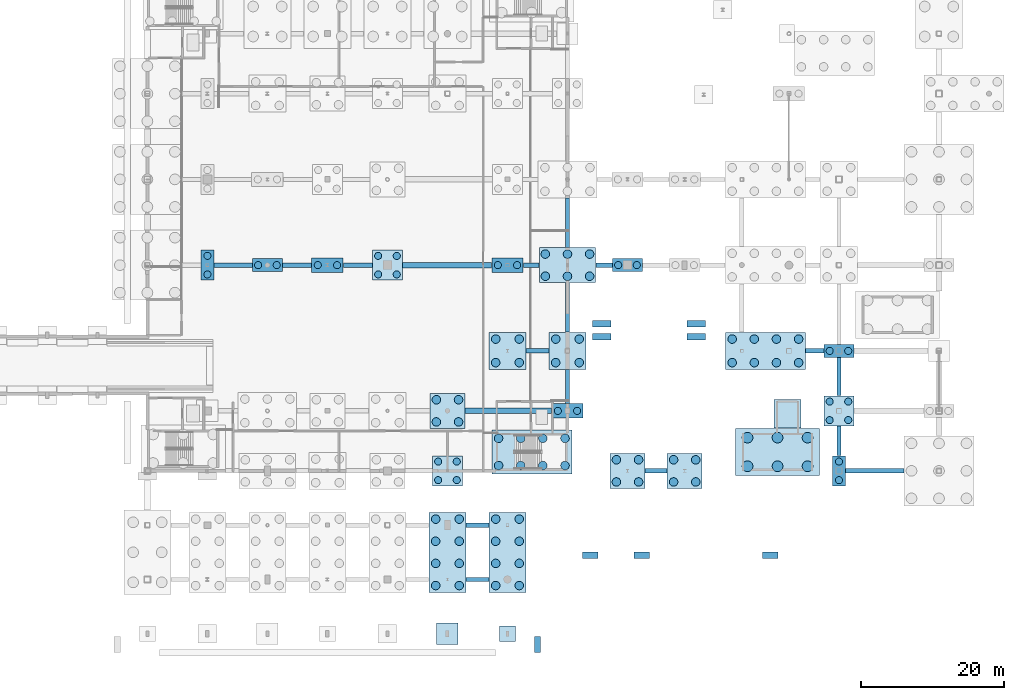
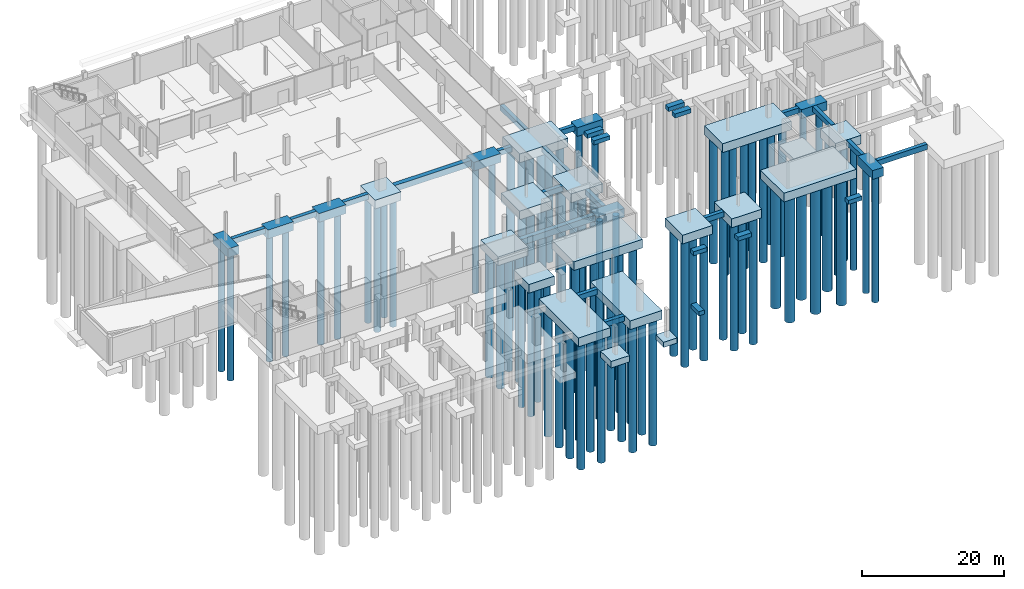
# One storey, part 2 of 34: 92 piles, 51 footings.
"""IFC4 building model written with IfcOpenShell, lengths in metres."""

from ifc_helpers import new_model, si_unit, direction, frame, origin, origin_2d, place, context, subcontext, project, spatial, rectangle, circle, extrude, material, material_profile, profile_set, type_object, element, save


model = new_model("IFC4")

# Units and contexts
model_context = context("Model", 3, precision=1e-05, world=origin(), true_north=direction((0.0, 1.0)))
body_context = subcontext(model_context, "Body", "Model", "MODEL_VIEW")
ifc_project = project(units=[si_unit("LENGTHUNIT", "METRE"), si_unit("AREAUNIT", "SQUARE_METRE"), si_unit("VOLUMEUNIT", "CUBIC_METRE"), si_unit("PLANEANGLEUNIT", "RADIAN"), si_unit("MASSUNIT", "GRAM", prefix="KILO")], contexts=[model_context])

# Site, building, storey
site_placement = place(None, origin())
site = spatial("IfcSite", under=ifc_project, at=site_placement, CompositionType="ELEMENT")
building_placement = place(site_placement, origin())
building = spatial("IfcBuilding", under=site, at=building_placement, Name="Larkvane Passage Sports Hall", CompositionType="ELEMENT")
storey_placement = place(building_placement, frame((0.0, 0.0, -4.800048828125)))
storey = spatial("IfcBuildingStorey", under=building, at=storey_placement, Name="B01", CompositionType="ELEMENT", Elevation=-4.800048828125)

# Footings
ifc_material = material(Name="Concrete C40/50", Category="concrete")
footing_type_1 = type_object("IfcFootingType", Name="CAP-2P-180x420", PredefinedType="PILE_CAP", material=ifc_material)
for number, where, z_axis, x_axis, name in (
    (1, (43.199951171875, 51.60009765625, -1.5), (0.0, 0.0, 1.0), (1.0, 0.0, 0.0), "Pile cap FDN5-CAP-7-G"),
    (2, (131.60009765625, 22.800048828125, -1.5), (0.0, 0.0, 1.0), (1.0, 0.0, 0.0), "Pile cap FDN5-CAP-18-D"),
):
    element("IfcFooting", number, at=place(storey_placement, frame(where, z_axis=z_axis, x_axis=x_axis)), inside=storey, type_object=footing_type_1, Name=name, PredefinedType="PILE_CAP", context=body_context, shape_type="SweptSolid", body=[
        extrude(rectangle(XDim=1.800048828125, YDim=4.199951171875, at=origin_2d()), origin(), (0.0, 0.0, 1.0), 1.5),
    ])
footing_type_2 = type_object("IfcFootingType", Name="CAP-2P-320x180", PredefinedType="PILE_CAP", material=ifc_material)
for number, where, z_axis, x_axis, name in (
    (3, (51.60009765625, 51.60009765625, -1.5), (0.0, 0.0, 1.0), (1.0, 0.0, 0.0), "Pile cap FDN5-CAP-8-G"),
    (4, (102.0, 51.60009765625, -1.5), (0.0, 0.0, 1.0), (1.0, 0.0, 0.0), "Pile cap FDN5-CAP-14-G"),
    (5, (131.60009765625, 39.60009765625, -1.5), (0.0, 0.0, 1.0), (1.0, 0.0, 0.0), "Pile cap FDN5-CAP-18-F"),
):
    element("IfcFooting", number, at=place(storey_placement, frame(where, z_axis=z_axis, x_axis=x_axis)), inside=storey, type_object=footing_type_2, Name=name, PredefinedType="PILE_CAP", context=body_context, shape_type="SweptSolid", body=[
        extrude(rectangle(XDim=4.199951171875, YDim=1.800048828125, at=origin_2d()), origin(), (0.0, 0.0, 1.0), 1.5),
    ])
footing_type_3 = type_object("IfcFootingType", Name="CAP-2P-360x200", PredefinedType="PILE_CAP", material=ifc_material)
for number, where, z_axis, x_axis, name in (
    (6, (60.0, 51.60009765625, -1.5), (0.0, 0.0, 1.0), (1.0, 0.0, 0.0), "Pile cap FDN5-CAP-9-G"),
    (7, (85.199951171875, 51.60009765625, -1.5), (0.0, 0.0, 1.0), (1.0, 0.0, 0.0), "Pile cap FDN5-CAP-12-G"),
    (8, (93.60009765625, 31.199951171875, -1.5), (0.0, 0.0, 1.0), (1.0, 0.0, 0.0), "Pile cap FDN5-CAP-13-E"),
):
    element("IfcFooting", number, at=place(storey_placement, frame(where, z_axis=z_axis, x_axis=x_axis)), inside=storey, type_object=footing_type_3, Name=name, PredefinedType="PILE_CAP", context=body_context, shape_type="SweptSolid", body=[
        extrude(rectangle(XDim=4.39990234375, YDim=2.0, at=origin_2d()), origin(), (0.0, 0.0, 1.0), 1.5),
    ])
footing_type_4 = type_object("IfcFootingType", Name="CAP-4P-360x360", PredefinedType="PILE_CAP", material=ifc_material)
for number, where, z_axis, x_axis, name in (
    (9, (68.39990234375, 51.60009765625, -1.5), (0.0, 0.0, 1.0), (1.0, 0.0, 0.0), "Pile cap FDN5-CAP-10-G"),
    (10, (76.800048828125, 22.800048828125, -1.5), (0.0, 0.0, 1.0), (1.0, 0.0, 0.0), "Pile cap FDN5-CAP-11-D"),
    (11, (131.60009765625, 31.199951171875, -1.5), (0.0, 0.0, 1.0), (1.0, 0.0, 0.0), "Pile cap FDN5-CAP-18-E"),
):
    element("IfcFooting", number, at=place(storey_placement, frame(where, z_axis=z_axis, x_axis=x_axis)), inside=storey, type_object=footing_type_4, Name=name, PredefinedType="PILE_CAP", context=body_context, shape_type="SweptSolid", body=[
        extrude(rectangle(XDim=4.199951171875, YDim=4.199951171875, at=origin_2d()), origin(), (0.0, 0.0, 1.0), 1.5),
    ])
footing_type_5 = type_object("IfcFootingType", Name="CAP-4P-400x400", PredefinedType="PILE_CAP", material=ifc_material)
for number, where, z_axis, x_axis, name in (
    (12, (76.800048828125, 31.199951171875, -1.5), (0.0, 0.0, 1.0), (1.0, 0.0, 0.0), "Pile cap FDN5-CAP-11-E"),
    (13, (102.0, 22.800048828125, -1.5), (0.0, 0.0, 1.0), (1.0, 0.0, 0.0), "Pile cap FDN5-CAP-14-D"),
    (14, (110.0, 22.800048828125, -1.5), (0.0, 0.0, 1.0), (1.0, 0.0, 0.0), "Pile cap FDN5-CAP-15-D"),
):
    element("IfcFooting", number, at=place(storey_placement, frame(where, z_axis=z_axis, x_axis=x_axis)), inside=storey, type_object=footing_type_5, Name=name, PredefinedType="PILE_CAP", context=body_context, shape_type="SweptSolid", body=[
        extrude(rectangle(XDim=4.89990234375, YDim=4.89990234375, at=origin_2d()), origin(), (0.0, 0.0, 1.0), 1.5),
    ])
footing_type_6 = type_object("IfcFootingType", Name="CAP-4P-440x440", PredefinedType="PILE_CAP", material=ifc_material)
for number, where, z_axis, x_axis, name in (
    (15, (85.199951171875, 39.60009765625, -1.5), (0.0, 0.0, 1.0), (1.0, 0.0, 0.0), "Pile cap FDN5-CAP-12-F"),
    (16, (93.60009765625, 39.60009765625, -1.5), (0.0, 0.0, 1.0), (1.0, 0.0, 0.0), "Pile cap FDN5-CAP-13-F"),
):
    element("IfcFooting", number, at=place(storey_placement, frame(where, z_axis=z_axis, x_axis=x_axis)), inside=storey, type_object=footing_type_6, Name=name, PredefinedType="PILE_CAP", context=body_context, shape_type="SweptSolid", body=[
        extrude(rectangle(XDim=5.199951171875, YDim=5.199951171875, at=origin_2d()), origin(), (0.0, 0.0, 1.0), 1.5),
    ])
footing_type_7 = type_object("IfcFootingType", Name="CAP-6P-580x400", PredefinedType="PILE_CAP", material=ifc_material)
footing_1_placement = place(storey_placement, frame((93.60009765625, 51.60009765625, -1.5), z_axis=(0.0, 0.0, 1.0), x_axis=(1.0, 0.0, 0.0)))
element("IfcFooting", 17, at=footing_1_placement, inside=storey, type_object=footing_type_7, Name="Pile cap FDN5-CAP-13-G", PredefinedType="PILE_CAP", context=body_context, shape_type="SweptSolid", body=[
    extrude(rectangle(XDim=7.89990234375, YDim=4.89990234375, at=origin_2d()), origin(), (0.0, 0.0, 1.0), 1.5),
])
footing_type_8 = type_object("IfcFootingType", Name="CAP-COMB-X-1120x520", PredefinedType="PILE_CAP", material=ifc_material)
footing_2_placement = place(storey_placement, frame((121.300048828125, 39.60009765625, -1.5), z_axis=(0.0, 0.0, 1.0), x_axis=(1.0, 0.0, 0.0)))
element("IfcFooting", 18, at=footing_2_placement, inside=storey, type_object=footing_type_8, Name="Pile cap FDN5-CAP-1617-F", PredefinedType="PILE_CAP", context=body_context, shape_type="SweptSolid", body=[
    extrude(rectangle(XDim=11.199951171875, YDim=5.199951171875, at=origin_2d()), origin(), (0.0, 0.0, 1.0), 1.5),
])
footing_type_9 = type_object("IfcFootingType", Name="CAP-COMB-Y-520x1120", PredefinedType="PILE_CAP", material=ifc_material)
for number, where, z_axis, x_axis, name in (
    (19, (76.800048828125, 11.39990234375, -1.5), (0.0, 0.0, 1.0), (1.0, 0.0, 0.0), "Pile cap FDN5-CAP-11-BC"),
    (20, (85.199951171875, 11.39990234375, -1.5), (0.0, 0.0, 1.0), (1.0, 0.0, 0.0), "Pile cap FDN5-CAP-12-BC"),
):
    element("IfcFooting", number, at=place(storey_placement, frame(where, z_axis=z_axis, x_axis=x_axis)), inside=storey, type_object=footing_type_9, Name=name, PredefinedType="PILE_CAP", context=body_context, shape_type="SweptSolid", body=[
        extrude(rectangle(XDim=5.199951171875, YDim=11.199951171875, at=origin_2d()), origin(), (0.0, 0.0, 1.0), 1.5),
    ])
footing_type_10 = type_object("IfcFootingType", Name="CAP-CORE-1120x620", PredefinedType="PILE_CAP", material=ifc_material)
footing_3_placement = place(storey_placement, frame((88.60009765625, 25.449951171875, -1.5), z_axis=(0.0, 0.0, 1.0), x_axis=(1.0, 0.0, 0.0)))
element("IfcFooting", 21, at=footing_3_placement, inside=storey, type_object=footing_type_10, Name="Pile cap FDN5-CORE-C4", PredefinedType="PILE_CAP", context=body_context, shape_type="SweptSolid", body=[
    extrude(rectangle(XDim=11.199951171875, YDim=6.199951171875, at=origin_2d()), origin(), (0.0, 0.0, 1.0), 1.5),
])
footing_type_11 = type_object("IfcFootingType", Name="CAP-CORE-1160x660", PredefinedType="PILE_CAP", material=ifc_material)
footing_4_placement = place(storey_placement, frame((123.0, 25.449951171875, -1.5), z_axis=(0.0, 0.0, 1.0), x_axis=(1.0, 0.0, 0.0)))
element("IfcFooting", 22, at=footing_4_placement, inside=storey, type_object=footing_type_11, Name="Pile cap FDN5-CORE-C5", PredefinedType="PILE_CAP", context=body_context, shape_type="SweptSolid", body=[
    extrude(rectangle(XDim=11.800048828125, YDim=6.60009765625, at=origin_2d()), origin(), (0.0, 0.0, 1.0), 1.5),
])
footing_type_12 = type_object("IfcFootingType", Name="FBM-600x900", PredefinedType="FOOTING_BEAM", material=ifc_material)
for number, where, z_axis, x_axis, name in (
    (23, (81.0, 7.60009765625, -0.89990234375), (0.0, 0.0, 1.0), (1.0, 0.0, 0.0), "Ground tie beam B-006"),
    (24, (81.0, 15.199951171875, -0.89990234375), (0.0, 0.0, 1.0), (1.0, 0.0, 0.0), "Ground tie beam C-012"),
):
    element("IfcFooting", number, at=place(storey_placement, frame(where, z_axis=z_axis, x_axis=x_axis)), inside=storey, type_object=footing_type_12, Name=name, PredefinedType="FOOTING_BEAM", context=body_context, shape_type="SweptSolid", body=[
        extrude(rectangle(XDim=3.159912109375, YDim=0.60009765625, at=origin_2d()), origin(), (0.0, 0.0, 1.0), 0.89990234375),
    ])
footing_5_placement = place(storey_placement, frame((106.0, 22.800048828125, -0.89990234375), z_axis=(0.0, 0.0, 1.0), x_axis=(1.0, 0.0, 0.0)))
element("IfcFooting", 25, at=footing_5_placement, inside=storey, type_object=footing_type_12, Name="Ground tie beam D-017", PredefinedType="FOOTING_BEAM", context=body_context, shape_type="SweptSolid", body=[
    extrude(rectangle(XDim=3.06005859375, YDim=0.60009765625, at=origin_2d()), origin(), (0.0, 0.0, 1.0), 0.89990234375),
])
footing_6_placement = place(storey_placement, frame((136.60009765625, 22.800048828125, -0.89990234375), z_axis=(0.0, 0.0, 1.0), x_axis=(1.0, 0.0, 0.0)))
element("IfcFooting", 26, at=footing_6_placement, inside=storey, type_object=footing_type_12, Name="Ground tie beam D-018", PredefinedType="FOOTING_BEAM", context=body_context, shape_type="SweptSolid", body=[
    extrude(rectangle(XDim=8.159912109375, YDim=0.60009765625, at=origin_2d()), origin(), (0.0, 0.0, 1.0), 0.89990234375),
])
footing_7_placement = place(storey_placement, frame((89.39990234375, 39.60009765625, -0.89990234375), z_axis=(0.0, 0.0, 1.0), x_axis=(1.0, 0.0, 0.0)))
element("IfcFooting", 27, at=footing_7_placement, inside=storey, type_object=footing_type_12, Name="Ground tie beam F-025", PredefinedType="FOOTING_BEAM", context=body_context, shape_type="SweptSolid", body=[
    extrude(rectangle(XDim=3.159912109375, YDim=0.60009765625, at=origin_2d()), origin(), (0.0, 0.0, 1.0), 0.89990234375),
])
footing_8_placement = place(storey_placement, frame((128.199951171875, 39.60009765625, -0.89990234375), z_axis=(0.0, 0.0, 1.0), x_axis=(1.0, 0.0, 0.0)))
element("IfcFooting", 28, at=footing_8_placement, inside=storey, type_object=footing_type_12, Name="Ground tie beam F-026", PredefinedType="FOOTING_BEAM", context=body_context, shape_type="SweptSolid", body=[
    extrude(rectangle(XDim=2.56005859375, YDim=0.60009765625, at=origin_2d()), origin(), (0.0, 0.0, 1.0), 0.89990234375),
])
footing_9_placement = place(storey_placement, frame((46.800048828125, 51.60009765625, -0.89990234375), z_axis=(0.0, 0.0, 1.0), x_axis=(1.0, 0.0, 0.0)))
element("IfcFooting", 29, at=footing_9_placement, inside=storey, type_object=footing_type_12, Name="Ground tie beam G-029", PredefinedType="FOOTING_BEAM", context=body_context, shape_type="SweptSolid", body=[
    extrude(rectangle(XDim=5.360107421875, YDim=0.60009765625, at=origin_2d()), origin(), (0.0, 0.0, 1.0), 0.89990234375),
])
for number, where, z_axis, x_axis, name in (
    (30, (55.75, 51.60009765625, -0.89990234375), (0.0, 0.0, 1.0), (1.0, 0.0, 0.0), "Ground tie beam G-030"),
    (31, (64.25, 51.60009765625, -0.89990234375), (0.0, 0.0, 1.0), (1.0, 0.0, 0.0), "Ground tie beam G-031"),
):
    element("IfcFooting", number, at=place(storey_placement, frame(where, z_axis=z_axis, x_axis=x_axis)), inside=storey, type_object=footing_type_12, Name=name, PredefinedType="FOOTING_BEAM", context=body_context, shape_type="SweptSolid", body=[
        extrude(rectangle(XDim=4.06005859375, YDim=0.60009765625, at=origin_2d()), origin(), (0.0, 0.0, 1.0), 0.89990234375),
    ])
footing_10_placement = place(storey_placement, frame((88.52490234375, 51.60009765625, -0.89990234375), z_axis=(0.0, 0.0, 1.0), x_axis=(1.0, 0.0, 0.0)))
element("IfcFooting", 32, at=footing_10_placement, inside=storey, type_object=footing_type_12, Name="Ground tie beam G-033", PredefinedType="FOOTING_BEAM", context=body_context, shape_type="SweptSolid", body=[
    extrude(rectangle(XDim=2.2099609375, YDim=0.60009765625, at=origin_2d()), origin(), (0.0, 0.0, 1.0), 0.89990234375),
])
footing_11_placement = place(storey_placement, frame((98.72509765625, 51.60009765625, -0.89990234375), z_axis=(0.0, 0.0, 1.0), x_axis=(1.0, 0.0, 0.0)))
element("IfcFooting", 33, at=footing_11_placement, inside=storey, type_object=footing_type_12, Name="Ground tie beam G-034", PredefinedType="FOOTING_BEAM", context=body_context, shape_type="SweptSolid", body=[
    extrude(rectangle(XDim=2.31005859375, YDim=0.60009765625, at=origin_2d()), origin(), (0.0, 0.0, 1.0), 0.89990234375),
])
footing_12_placement = place(storey_placement, frame((93.60009765625, 34.60009765625, -0.89990234375), z_axis=(0.0, 0.0, 1.0), x_axis=(1.0, 0.0, 0.0)))
element("IfcFooting", 34, at=footing_12_placement, inside=storey, type_object=footing_type_12, Name="Foundation tie footing 13-077", PredefinedType="FOOTING_BEAM", context=body_context, shape_type="SweptSolid", body=[
    extrude(rectangle(XDim=0.60009765625, YDim=4.760009765625, at=origin_2d()), origin(), (0.0, 0.0, 1.0), 0.89990234375),
])
for number, where, z_axis, x_axis, name in (
    (35, (93.60009765625, 45.675048828125, -0.89990234375), (0.0, 0.0, 1.0), (1.0, 0.0, 0.0), "Foundation tie footing 13-078"),
    (36, (93.60009765625, 57.52490234375, -0.89990234375), (0.0, 0.0, 1.0), (1.0, 0.0, 0.0), "Foundation tie footing 13-079"),
):
    element("IfcFooting", number, at=place(storey_placement, frame(where, z_axis=z_axis, x_axis=x_axis)), inside=storey, type_object=footing_type_12, Name=name, PredefinedType="FOOTING_BEAM", context=body_context, shape_type="SweptSolid", body=[
        extrude(rectangle(XDim=0.60009765625, YDim=6.909912109375, at=origin_2d()), origin(), (0.0, 0.0, 1.0), 0.89990234375),
    ])
footing_13_placement = place(storey_placement, frame((131.60009765625, 27.0, -0.89990234375), z_axis=(0.0, 0.0, 1.0), x_axis=(1.0, 0.0, 0.0)))
element("IfcFooting", 37, at=footing_13_placement, inside=storey, type_object=footing_type_12, Name="Foundation tie footing 18-085", PredefinedType="FOOTING_BEAM", context=body_context, shape_type="SweptSolid", body=[
    extrude(rectangle(XDim=0.60009765625, YDim=4.159912109375, at=origin_2d()), origin(), (0.0, 0.0, 1.0), 0.89990234375),
])
footing_14_placement = place(storey_placement, frame((131.60009765625, 36.0, -0.89990234375), z_axis=(0.0, 0.0, 1.0), x_axis=(1.0, 0.0, 0.0)))
element("IfcFooting", 38, at=footing_14_placement, inside=storey, type_object=footing_type_12, Name="Foundation tie footing 18-086", PredefinedType="FOOTING_BEAM", context=body_context, shape_type="SweptSolid", body=[
    extrude(rectangle(XDim=0.60009765625, YDim=5.360107421875, at=origin_2d()), origin(), (0.0, 0.0, 1.0), 0.89990234375),
])
footing_type_13 = type_object("IfcFootingType", Name="FBM-750x1050", PredefinedType="FOOTING_BEAM", material=ifc_material)
footing_15_placement = place(storey_placement, frame((85.324951171875, 31.199951171875, -1.0498046875), z_axis=(0.0, 0.0, 1.0), x_axis=(1.0, 0.0, 0.0)))
element("IfcFooting", 39, at=footing_15_placement, inside=storey, type_object=footing_type_13, Name="Ground tie beam E-023", PredefinedType="FOOTING_BEAM", context=body_context, shape_type="SweptSolid", body=[
    extrude(rectangle(XDim=12.110107421875, YDim=0.75, at=origin_2d()), origin(), (0.0, 0.0, 1.0), 1.050048828125),
])
footing_16_placement = place(storey_placement, frame((76.75, 51.60009765625, -1.0498046875), z_axis=(0.0, 0.0, 1.0), x_axis=(1.0, 0.0, 0.0)))
element("IfcFooting", 40, at=footing_16_placement, inside=storey, type_object=footing_type_13, Name="Ground tie beam G-032", PredefinedType="FOOTING_BEAM", context=body_context, shape_type="SweptSolid", body=[
    extrude(rectangle(XDim=12.4599609375, YDim=0.75, at=origin_2d()), origin(), (0.0, 0.0, 1.0), 1.050048828125),
])
footing_type_14 = type_object("IfcFootingType", Name="PAD-220x220x90", PredefinedType="PAD_FOOTING", material=ifc_material)
footing_17_placement = place(storey_placement, frame((85.199951171875, 0.0, -0.89990234375), z_axis=(0.0, 0.0, 1.0), x_axis=(1.0, 0.0, 0.0)))
element("IfcFooting", 41, at=footing_17_placement, inside=storey, type_object=footing_type_14, Name="Isolated pad footing FDN5-PAD-12-A", PredefinedType="PAD_FOOTING", context=body_context, shape_type="SweptSolid", body=[
    extrude(rectangle(XDim=2.199951171875, YDim=2.199951171875, at=origin_2d()), origin(), (0.0, 0.0, 1.0), 0.89990234375),
])
footing_type_15 = type_object("IfcFootingType", Name="PAD-300x300x110", PredefinedType="PAD_FOOTING", material=ifc_material)
footing_18_placement = place(storey_placement, frame((76.800048828125, 0.0, -1.10009765625), z_axis=(0.0, 0.0, 1.0), x_axis=(1.0, 0.0, 0.0)))
element("IfcFooting", 42, at=footing_18_placement, inside=storey, type_object=footing_type_15, Name="Isolated pad footing FDN5-PAD-11-A", PredefinedType="PAD_FOOTING", context=body_context, shape_type="SweptSolid", body=[
    extrude(rectangle(XDim=3.0, YDim=3.0, at=origin_2d()), origin(), (0.0, 0.0, 1.0), 1.10009765625),
])

# Piles
ifc_material_profile_1 = material_profile(ifc_material, circle(Radius=0.5, at=origin_2d()), Name="PILE-D1000")
ifc_profile_set_1 = profile_set([ifc_material_profile_1], Name="Concrete C40/50")
pile_type_1 = type_object("IfcPileType", Name="PIL-BORED-D1000", PredefinedType="BORED", material=ifc_profile_set_1)
for number, where, z_axis, x_axis, name in (
    (43, (43.199951171875, 50.300048828125, -1.349853515625), (0.0, 0.0, -1.0), (1.0, 0.0, 0.0), "Bored pile FDN5-CAP-7-G-P01"),
    (44, (43.199951171875, 52.89990234375, -1.349853515625), (0.0, 0.0, -1.0), (1.0, 0.0, 0.0), "Bored pile FDN5-CAP-7-G-P02"),
    (45, (50.300048828125, 51.60009765625, -1.349853515625), (0.0, 0.0, -1.0), (1.0, 0.0, 0.0), "Bored pile FDN5-CAP-8-G-P01"),
    (46, (52.89990234375, 51.60009765625, -1.349853515625), (0.0, 0.0, -1.0), (1.0, 0.0, 0.0), "Bored pile FDN5-CAP-8-G-P02"),
    (47, (58.64990234375, 51.60009765625, -1.349853515625), (0.0, 0.0, -1.0), (1.0, 0.0, 0.0), "Bored pile FDN5-CAP-9-G-P01"),
    (48, (61.35009765625, 51.60009765625, -1.349853515625), (0.0, 0.0, -1.0), (1.0, 0.0, 0.0), "Bored pile FDN5-CAP-9-G-P02"),
    (49, (67.10009765625, 50.300048828125, -1.349853515625), (0.0, 0.0, -1.0), (1.0, 0.0, 0.0), "Bored pile FDN5-CAP-10-G-P01"),
    (50, (69.699951171875, 50.300048828125, -1.349853515625), (0.0, 0.0, -1.0), (1.0, 0.0, 0.0), "Bored pile FDN5-CAP-10-G-P02"),
    (51, (67.10009765625, 52.89990234375, -1.349853515625), (0.0, 0.0, -1.0), (1.0, 0.0, 0.0), "Bored pile FDN5-CAP-10-G-P03"),
    (52, (69.699951171875, 52.89990234375, -1.349853515625), (0.0, 0.0, -1.0), (1.0, 0.0, 0.0), "Bored pile FDN5-CAP-10-G-P04"),
    (53, (75.5, 21.5, -1.349853515625), (0.0, 0.0, -1.0), (1.0, 0.0, 0.0), "Bored pile FDN5-CAP-11-D-P01"),
    (54, (78.10009765625, 21.5, -1.349853515625), (0.0, 0.0, -1.0), (1.0, 0.0, 0.0), "Bored pile FDN5-CAP-11-D-P02"),
    (55, (75.5, 24.10009765625, -1.349853515625), (0.0, 0.0, -1.0), (1.0, 0.0, 0.0), "Bored pile FDN5-CAP-11-D-P03"),
    (56, (78.10009765625, 24.10009765625, -1.349853515625), (0.0, 0.0, -1.0), (1.0, 0.0, 0.0), "Bored pile FDN5-CAP-11-D-P04"),
    (57, (83.85009765625, 51.60009765625, -1.349853515625), (0.0, 0.0, -1.0), (1.0, 0.0, 0.0), "Bored pile FDN5-CAP-12-G-P01"),
    (58, (86.550048828125, 51.60009765625, -1.349853515625), (0.0, 0.0, -1.0), (1.0, 0.0, 0.0), "Bored pile FDN5-CAP-12-G-P02"),
    (59, (92.25, 31.199951171875, -1.349853515625), (0.0, 0.0, -1.0), (1.0, 0.0, 0.0), "Bored pile FDN5-CAP-13-E-P01"),
    (60, (94.949951171875, 31.199951171875, -1.349853515625), (0.0, 0.0, -1.0), (1.0, 0.0, 0.0), "Bored pile FDN5-CAP-13-E-P02"),
    (61, (100.699951171875, 51.60009765625, -1.349853515625), (0.0, 0.0, -1.0), (1.0, 0.0, 0.0), "Bored pile FDN5-CAP-14-G-P01"),
    (62, (103.300048828125, 51.60009765625, -1.349853515625), (0.0, 0.0, -1.0), (1.0, 0.0, 0.0), "Bored pile FDN5-CAP-14-G-P02"),
    (63, (131.60009765625, 21.5, -1.349853515625), (0.0, 0.0, -1.0), (1.0, 0.0, 0.0), "Bored pile FDN5-CAP-18-D-P01"),
    (64, (131.60009765625, 24.10009765625, -1.349853515625), (0.0, 0.0, -1.0), (1.0, 0.0, 0.0), "Bored pile FDN5-CAP-18-D-P02"),
    (65, (130.300048828125, 29.89990234375, -1.349853515625), (0.0, 0.0, -1.0), (1.0, 0.0, 0.0), "Bored pile FDN5-CAP-18-E-P01"),
    (66, (132.89990234375, 29.89990234375, -1.349853515625), (0.0, 0.0, -1.0), (1.0, 0.0, 0.0), "Bored pile FDN5-CAP-18-E-P02"),
    (67, (130.300048828125, 32.5, -1.349853515625), (0.0, 0.0, -1.0), (1.0, 0.0, 0.0), "Bored pile FDN5-CAP-18-E-P03"),
    (68, (132.89990234375, 32.5, -1.349853515625), (0.0, 0.0, -1.0), (1.0, 0.0, 0.0), "Bored pile FDN5-CAP-18-E-P04"),
    (69, (130.300048828125, 39.60009765625, -1.349853515625), (0.0, 0.0, -1.0), (1.0, 0.0, 0.0), "Bored pile FDN5-CAP-18-F-P01"),
    (70, (132.89990234375, 39.60009765625, -1.349853515625), (0.0, 0.0, -1.0), (1.0, 0.0, 0.0), "Bored pile FDN5-CAP-18-F-P02"),
):
    element("IfcPile", number, at=place(storey_placement, frame(where, z_axis=z_axis, x_axis=x_axis)), inside=storey, type_object=pile_type_1, Name=name, PredefinedType="BORED", context=body_context, shape_type="SweptSolid", body=[
        extrude(circle(Radius=0.5, at=origin_2d()), origin(), (0.0, 0.0, 1.0), 21.85009765625),
    ])
ifc_material_profile_2 = material_profile(ifc_material, circle(Radius=0.60009765625, at=origin_2d()), Name="PILE-D1200")
ifc_profile_set_2 = profile_set([ifc_material_profile_2], Name="Concrete C40/50")
pile_type_2 = type_object("IfcPileType", Name="PIL-BORED-D1200", PredefinedType="BORED", material=ifc_profile_set_2)
for number, where, z_axis, x_axis, name in (
    (71, (83.949951171875, 23.550048828125, -1.349853515625), (0.0, 0.0, -1.0), (1.0, 0.0, 0.0), "Bored pile FDN5-CORE-C4-P01"),
    (72, (83.949951171875, 27.35009765625, -1.349853515625), (0.0, 0.0, -1.0), (1.0, 0.0, 0.0), "Bored pile FDN5-CORE-C4-P02"),
    (73, (87.050048828125, 23.550048828125, -1.349853515625), (0.0, 0.0, -1.0), (1.0, 0.0, 0.0), "Bored pile FDN5-CORE-C4-P03"),
    (74, (87.050048828125, 27.35009765625, -1.349853515625), (0.0, 0.0, -1.0), (1.0, 0.0, 0.0), "Bored pile FDN5-CORE-C4-P04"),
    (75, (90.14990234375, 23.550048828125, -1.349853515625), (0.0, 0.0, -1.0), (1.0, 0.0, 0.0), "Bored pile FDN5-CORE-C4-P05"),
    (76, (90.14990234375, 27.35009765625, -1.349853515625), (0.0, 0.0, -1.0), (1.0, 0.0, 0.0), "Bored pile FDN5-CORE-C4-P06"),
    (77, (93.25, 23.550048828125, -1.349853515625), (0.0, 0.0, -1.0), (1.0, 0.0, 0.0), "Bored pile FDN5-CORE-C4-P07"),
    (78, (93.25, 27.35009765625, -1.349853515625), (0.0, 0.0, -1.0), (1.0, 0.0, 0.0), "Bored pile FDN5-CORE-C4-P08"),
    (79, (75.14990234375, 6.75, -1.349853515625), (0.0, 0.0, -1.0), (1.0, 0.0, 0.0), "Bored pile FDN5-CAP-11-BC-P01"),
    (80, (75.14990234375, 9.85009765625, -1.349853515625), (0.0, 0.0, -1.0), (1.0, 0.0, 0.0), "Bored pile FDN5-CAP-11-BC-P02"),
    (81, (75.14990234375, 12.949951171875, -1.349853515625), (0.0, 0.0, -1.0), (1.0, 0.0, 0.0), "Bored pile FDN5-CAP-11-BC-P03"),
    (82, (75.14990234375, 16.050048828125, -1.349853515625), (0.0, 0.0, -1.0), (1.0, 0.0, 0.0), "Bored pile FDN5-CAP-11-BC-P04"),
    (83, (78.449951171875, 6.75, -1.349853515625), (0.0, 0.0, -1.0), (1.0, 0.0, 0.0), "Bored pile FDN5-CAP-11-BC-P05"),
    (84, (78.449951171875, 9.85009765625, -1.349853515625), (0.0, 0.0, -1.0), (1.0, 0.0, 0.0), "Bored pile FDN5-CAP-11-BC-P06"),
    (85, (78.449951171875, 12.949951171875, -1.349853515625), (0.0, 0.0, -1.0), (1.0, 0.0, 0.0), "Bored pile FDN5-CAP-11-BC-P07"),
    (86, (78.449951171875, 16.050048828125, -1.349853515625), (0.0, 0.0, -1.0), (1.0, 0.0, 0.0), "Bored pile FDN5-CAP-11-BC-P08"),
    (87, (83.550048828125, 6.75, -1.349853515625), (0.0, 0.0, -1.0), (1.0, 0.0, 0.0), "Bored pile FDN5-CAP-12-BC-P01"),
    (88, (83.550048828125, 9.85009765625, -1.349853515625), (0.0, 0.0, -1.0), (1.0, 0.0, 0.0), "Bored pile FDN5-CAP-12-BC-P02"),
    (89, (83.550048828125, 12.949951171875, -1.349853515625), (0.0, 0.0, -1.0), (1.0, 0.0, 0.0), "Bored pile FDN5-CAP-12-BC-P03"),
    (90, (83.550048828125, 16.050048828125, -1.349853515625), (0.0, 0.0, -1.0), (1.0, 0.0, 0.0), "Bored pile FDN5-CAP-12-BC-P04"),
    (91, (86.85009765625, 6.75, -1.349853515625), (0.0, 0.0, -1.0), (1.0, 0.0, 0.0), "Bored pile FDN5-CAP-12-BC-P05"),
    (92, (86.85009765625, 9.85009765625, -1.349853515625), (0.0, 0.0, -1.0), (1.0, 0.0, 0.0), "Bored pile FDN5-CAP-12-BC-P06"),
    (93, (86.85009765625, 12.949951171875, -1.349853515625), (0.0, 0.0, -1.0), (1.0, 0.0, 0.0), "Bored pile FDN5-CAP-12-BC-P07"),
    (94, (86.85009765625, 16.050048828125, -1.349853515625), (0.0, 0.0, -1.0), (1.0, 0.0, 0.0), "Bored pile FDN5-CAP-12-BC-P08"),
    (95, (116.64990234375, 37.949951171875, -1.349853515625), (0.0, 0.0, -1.0), (1.0, 0.0, 0.0), "Bored pile FDN5-CAP-1617-F-P01"),
    (96, (116.64990234375, 41.25, -1.349853515625), (0.0, 0.0, -1.0), (1.0, 0.0, 0.0), "Bored pile FDN5-CAP-1617-F-P02"),
    (97, (119.75, 37.949951171875, -1.349853515625), (0.0, 0.0, -1.0), (1.0, 0.0, 0.0), "Bored pile FDN5-CAP-1617-F-P03"),
    (98, (119.75, 41.25, -1.349853515625), (0.0, 0.0, -1.0), (1.0, 0.0, 0.0), "Bored pile FDN5-CAP-1617-F-P04"),
    (99, (122.85009765625, 37.949951171875, -1.349853515625), (0.0, 0.0, -1.0), (1.0, 0.0, 0.0), "Bored pile FDN5-CAP-1617-F-P05"),
    (100, (122.85009765625, 41.25, -1.349853515625), (0.0, 0.0, -1.0), (1.0, 0.0, 0.0), "Bored pile FDN5-CAP-1617-F-P06"),
    (101, (125.949951171875, 37.949951171875, -1.349853515625), (0.0, 0.0, -1.0), (1.0, 0.0, 0.0), "Bored pile FDN5-CAP-1617-F-P07"),
    (102, (125.949951171875, 41.25, -1.349853515625), (0.0, 0.0, -1.0), (1.0, 0.0, 0.0), "Bored pile FDN5-CAP-1617-F-P08"),
    (103, (75.25, 29.64990234375, -1.349853515625), (0.0, 0.0, -1.0), (1.0, 0.0, 0.0), "Bored pile FDN5-CAP-11-E-P01"),
    (104, (78.35009765625, 29.64990234375, -1.349853515625), (0.0, 0.0, -1.0), (1.0, 0.0, 0.0), "Bored pile FDN5-CAP-11-E-P02"),
    (105, (75.25, 32.75, -1.349853515625), (0.0, 0.0, -1.0), (1.0, 0.0, 0.0), "Bored pile FDN5-CAP-11-E-P03"),
    (106, (78.35009765625, 32.75, -1.349853515625), (0.0, 0.0, -1.0), (1.0, 0.0, 0.0), "Bored pile FDN5-CAP-11-E-P04"),
    (107, (83.550048828125, 37.949951171875, -1.349853515625), (0.0, 0.0, -1.0), (1.0, 0.0, 0.0), "Bored pile FDN5-CAP-12-F-P01"),
    (108, (86.85009765625, 37.949951171875, -1.349853515625), (0.0, 0.0, -1.0), (1.0, 0.0, 0.0), "Bored pile FDN5-CAP-12-F-P02"),
    (109, (83.550048828125, 41.25, -1.349853515625), (0.0, 0.0, -1.0), (1.0, 0.0, 0.0), "Bored pile FDN5-CAP-12-F-P03"),
    (110, (86.85009765625, 41.25, -1.349853515625), (0.0, 0.0, -1.0), (1.0, 0.0, 0.0), "Bored pile FDN5-CAP-12-F-P04"),
    (111, (91.949951171875, 37.949951171875, -1.349853515625), (0.0, 0.0, -1.0), (1.0, 0.0, 0.0), "Bored pile FDN5-CAP-13-F-P01"),
    (112, (95.25, 37.949951171875, -1.349853515625), (0.0, 0.0, -1.0), (1.0, 0.0, 0.0), "Bored pile FDN5-CAP-13-F-P02"),
    (113, (91.949951171875, 41.25, -1.349853515625), (0.0, 0.0, -1.0), (1.0, 0.0, 0.0), "Bored pile FDN5-CAP-13-F-P03"),
    (114, (95.25, 41.25, -1.349853515625), (0.0, 0.0, -1.0), (1.0, 0.0, 0.0), "Bored pile FDN5-CAP-13-F-P04"),
    (115, (90.5, 50.050048828125, -1.349853515625), (0.0, 0.0, -1.0), (1.0, 0.0, 0.0), "Bored pile FDN5-CAP-13-G-P01"),
    (116, (93.60009765625, 50.050048828125, -1.349853515625), (0.0, 0.0, -1.0), (1.0, 0.0, 0.0), "Bored pile FDN5-CAP-13-G-P02"),
    (117, (96.699951171875, 50.050048828125, -1.349853515625), (0.0, 0.0, -1.0), (1.0, 0.0, 0.0), "Bored pile FDN5-CAP-13-G-P03"),
    (118, (90.5, 53.14990234375, -1.349853515625), (0.0, 0.0, -1.0), (1.0, 0.0, 0.0), "Bored pile FDN5-CAP-13-G-P04"),
    (119, (93.60009765625, 53.14990234375, -1.349853515625), (0.0, 0.0, -1.0), (1.0, 0.0, 0.0), "Bored pile FDN5-CAP-13-G-P05"),
    (120, (96.699951171875, 53.14990234375, -1.349853515625), (0.0, 0.0, -1.0), (1.0, 0.0, 0.0), "Bored pile FDN5-CAP-13-G-P06"),
    (121, (100.449951171875, 21.25, -1.349853515625), (0.0, 0.0, -1.0), (1.0, 0.0, 0.0), "Bored pile FDN5-CAP-14-D-P01"),
    (122, (103.550048828125, 21.25, -1.349853515625), (0.0, 0.0, -1.0), (1.0, 0.0, 0.0), "Bored pile FDN5-CAP-14-D-P02"),
    (123, (100.449951171875, 24.35009765625, -1.349853515625), (0.0, 0.0, -1.0), (1.0, 0.0, 0.0), "Bored pile FDN5-CAP-14-D-P03"),
    (124, (103.550048828125, 24.35009765625, -1.349853515625), (0.0, 0.0, -1.0), (1.0, 0.0, 0.0), "Bored pile FDN5-CAP-14-D-P04"),
    (125, (108.449951171875, 21.25, -1.349853515625), (0.0, 0.0, -1.0), (1.0, 0.0, 0.0), "Bored pile FDN5-CAP-15-D-P01"),
    (126, (111.550048828125, 21.25, -1.349853515625), (0.0, 0.0, -1.0), (1.0, 0.0, 0.0), "Bored pile FDN5-CAP-15-D-P02"),
    (127, (108.449951171875, 24.35009765625, -1.349853515625), (0.0, 0.0, -1.0), (1.0, 0.0, 0.0), "Bored pile FDN5-CAP-15-D-P03"),
    (128, (111.550048828125, 24.35009765625, -1.349853515625), (0.0, 0.0, -1.0), (1.0, 0.0, 0.0), "Bored pile FDN5-CAP-15-D-P04"),
):
    element("IfcPile", number, at=place(storey_placement, frame(where, z_axis=z_axis, x_axis=x_axis)), inside=storey, type_object=pile_type_2, Name=name, PredefinedType="BORED", context=body_context, shape_type="SweptSolid", body=[
        extrude(circle(Radius=0.60009765625, at=origin_2d()), origin(), (0.0, 0.0, 1.0), 21.85009765625),
    ])
ifc_material_profile_3 = material_profile(ifc_material, circle(Radius=0.75, at=origin_2d()), Name="PILE-D1500")
ifc_profile_set_3 = profile_set([ifc_material_profile_3], Name="Concrete C40/50")
pile_type_3 = type_object("IfcPileType", Name="PIL-BORED-D1500", PredefinedType="BORED", material=ifc_profile_set_3)
for number, where, z_axis, x_axis, name in (
    (129, (118.800048828125, 23.449951171875, -1.349853515625), (0.0, 0.0, -1.0), (1.0, 0.0, 0.0), "Bored pile FDN5-CORE-C5-P01"),
    (130, (118.800048828125, 27.449951171875, -1.349853515625), (0.0, 0.0, -1.0), (1.0, 0.0, 0.0), "Bored pile FDN5-CORE-C5-P02"),
    (131, (123.0, 23.449951171875, -1.349853515625), (0.0, 0.0, -1.0), (1.0, 0.0, 0.0), "Bored pile FDN5-CORE-C5-P03"),
    (132, (123.0, 27.449951171875, -1.349853515625), (0.0, 0.0, -1.0), (1.0, 0.0, 0.0), "Bored pile FDN5-CORE-C5-P04"),
    (133, (127.199951171875, 23.449951171875, -1.349853515625), (0.0, 0.0, -1.0), (1.0, 0.0, 0.0), "Bored pile FDN5-CORE-C5-P05"),
    (134, (127.199951171875, 27.449951171875, -1.349853515625), (0.0, 0.0, -1.0), (1.0, 0.0, 0.0), "Bored pile FDN5-CORE-C5-P06"),
):
    element("IfcPile", number, at=place(storey_placement, frame(where, z_axis=z_axis, x_axis=x_axis)), inside=storey, type_object=pile_type_3, Name=name, PredefinedType="BORED", context=body_context, shape_type="SweptSolid", body=[
        extrude(circle(Radius=0.75, at=origin_2d()), origin(), (0.0, 0.0, 1.0), 21.85009765625),
    ])

# Footings
footing_type_16 = type_object("IfcFootingType", Name="SFT-900x700", PredefinedType="STRIP_FOOTING", material=ifc_material)
footing_19_placement = place(storey_placement, frame((89.39990234375, -1.5, 3.75), z_axis=(0.0, 0.0, 1.0), x_axis=(1.0, 0.0, 0.0)))
element("IfcFooting", 135, at=footing_19_placement, inside=storey, type_object=footing_type_16, Name="Accessible ramp RA-03 toe strip footing", PredefinedType="STRIP_FOOTING", context=body_context, shape_type="SweptSolid", body=[
    extrude(rectangle(XDim=0.89990234375, YDim=2.199951171875, at=origin_2d()), origin(), (0.0, 0.0, 1.0), 0.699951171875),
])
for number, where, z_axis, x_axis, name in (
    (136, (96.800048828125, 11.0, 3.75), (0.0, 0.0, 1.0), (1.0, 0.0, 0.0), "Accessible ramp RA-04 toe strip footing"),
    (137, (104.0, 11.0, 3.75), (0.0, 0.0, 1.0), (1.0, 0.0, 0.0), "Accessible ramp RA-05 toe strip footing"),
    (138, (122.0, 11.0, 3.75), (0.0, 0.0, 1.0), (1.0, 0.0, 0.0), "Accessible ramp RA-06 toe strip footing"),
):
    element("IfcFooting", number, at=place(storey_placement, frame(where, z_axis=z_axis, x_axis=x_axis)), inside=storey, type_object=footing_type_16, Name=name, PredefinedType="STRIP_FOOTING", context=body_context, shape_type="SweptSolid", body=[
        extrude(rectangle(XDim=2.199951171875, YDim=0.89990234375, at=origin_2d()), origin(), (0.0, 0.0, 1.0), 0.699951171875),
    ])
for number, where, z_axis, x_axis, name in (
    (139, (98.39990234375, 41.550048828125, 3.830078125), (0.0, 0.0, 1.0), (1.0, 0.0, 0.0), "Feature stair ST-F1 south landing strip footing"),
    (140, (98.39990234375, 43.39990234375, 3.830078125), (0.0, 0.0, 1.0), (1.0, 0.0, 0.0), "Feature stair ST-F1 north landing strip footing"),
    (141, (111.60009765625, 41.550048828125, 3.830078125), (0.0, 0.0, 1.0), (1.0, 0.0, 0.0), "Feature stair ST-F2 south landing strip footing"),
    (142, (111.60009765625, 43.39990234375, 3.830078125), (0.0, 0.0, 1.0), (1.0, 0.0, 0.0), "Feature stair ST-F2 north landing strip footing"),
):
    element("IfcFooting", number, at=place(storey_placement, frame(where, z_axis=z_axis, x_axis=x_axis)), inside=storey, type_object=footing_type_16, Name=name, PredefinedType="STRIP_FOOTING", context=body_context, shape_type="SweptSolid", body=[
        extrude(rectangle(XDim=2.60009765625, YDim=0.89990234375, at=origin_2d()), origin(), (0.0, 0.0, 1.0), 0.699951171875),
    ])
footing_20_placement = place(storey_placement, frame((124.39990234375, 30.784912109375, -0.69970703125), z_axis=(0.0, 0.0, 1.0), x_axis=(1.0, 0.0, 0.0)))
element("IfcFooting", 143, at=footing_20_placement, inside=storey, type_object=footing_type_16, Name="Firefighting lift FL-02 pit foundation footing", PredefinedType="STRIP_FOOTING", context=body_context, shape_type="SweptSolid", body=[
    extrude(rectangle(XDim=3.800048828125, YDim=4.030029296875, at=origin_2d()), origin(), (0.0, 0.0, 1.0), 0.699951171875),
])

save(model, "model.ifc")
